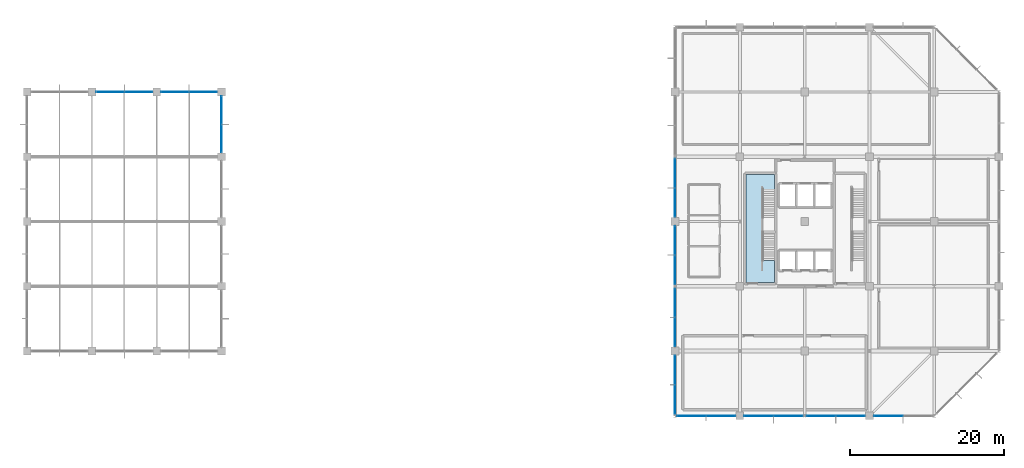
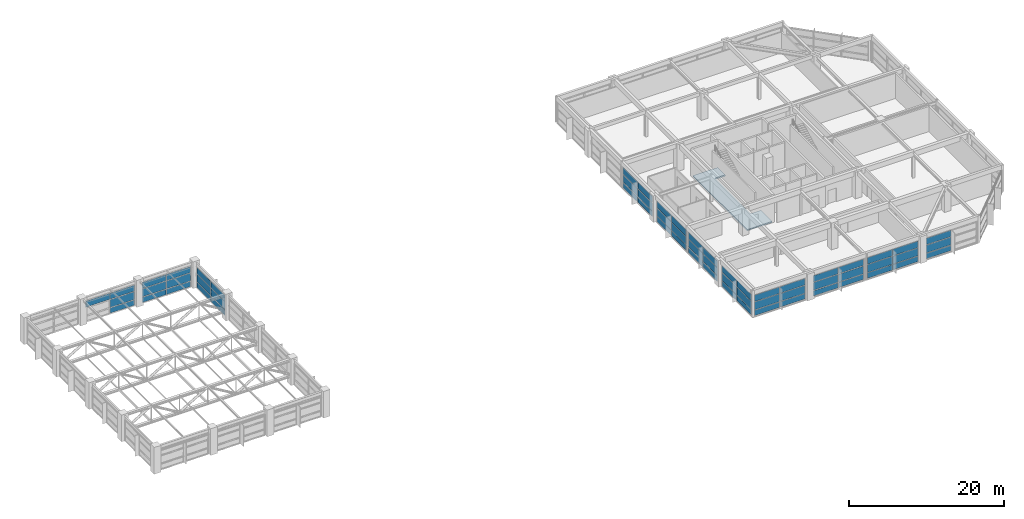
# One storey, part 26 of 32: 61 plates, 1 slab, 12 elements without a shape of their own.
"""IFC4 building model written with IfcOpenShell, lengths in metres."""

from ifc_helpers import new_model, si_unit, direction, frame, origin, origin_2d, place, context, subcontext, project, spatial, polyline, rectangle, outline, extrude, material, layer, layer_set, type_object, element, aggregate, save


model = new_model("IFC4")

# Units and contexts
model_context = context("Model", 3, precision=1e-05, world=origin(), true_north=direction((0.0, 1.0)))
body_context = subcontext(model_context, "Body", "Model", "MODEL_VIEW")
ifc_project = project(units=[si_unit("LENGTHUNIT", "METRE"), si_unit("AREAUNIT", "SQUARE_METRE"), si_unit("VOLUMEUNIT", "CUBIC_METRE"), si_unit("PLANEANGLEUNIT", "RADIAN"), si_unit("MASSUNIT", "GRAM", prefix="KILO")], contexts=[model_context])

# Site, building, storey
site_placement = place(None, origin())
site = spatial("IfcSite", under=ifc_project, at=site_placement, CompositionType="ELEMENT")
building_placement = place(site_placement, origin())
building = spatial("IfcBuilding", under=site, at=building_placement, Name="Xuanlan Plaza Opera House", CompositionType="ELEMENT")
storey_placement = place(building_placement, frame((0.0, 0.0, 40.5)))
storey = spatial("IfcBuildingStorey", under=building, at=storey_placement, Name="L09", CompositionType="ELEMENT", Elevation=40.5)

# Curtain wall, plates
ifc_material_1 = material(Name="Anodised Aluminium 6063-T6 and Low-E Glass", Category="aluminium")
curtain_wall_type_1 = type_object("IfcCurtainWallType", Name="ENV-CW-CW-03", PredefinedType="USERDEFINED", material=ifc_material_1)
curtain_wall_1_placement = place(storey_placement, origin())
curtain_wall_1 = element("IfcCurtainWall", 1, at=curtain_wall_1_placement, inside=storey, type_object=curtain_wall_type_1, Name="Unitised Curtain Wall L09-020", ObjectType="UNITISED CURTAIN WALL", PredefinedType="USERDEFINED")
ifc_material_2 = material(Name="Laminated Acoustic Double Glazing", Category="glass")
ifc_layer_1 = layer(ifc_material_2, 0.028076171875)
ifc_layer_set_1 = layer_set([ifc_layer_1], Name="Laminated Acoustic Double Glazing")
plate_type_1 = type_object("IfcPlateType", Name="ENV-CWP-01", PredefinedType="CURTAIN_PANEL", material=ifc_layer_set_1)
plate_1_placement = place(storey_placement, frame((126.0, 39.54248046875, 0.06494140625), z_axis=(0.0, 0.0, 1.0), x_axis=(0.0, -1.0, 0.0)))
plate_1 = element("IfcPlate", 2, at=plate_1_placement, type_object=plate_type_1, Name="CW-03 panel 1.1", PredefinedType="CURTAIN_PANEL", context=body_context, shape_type="SweptSolid", body=[
    extrude(rectangle(XDim=3.7451171875, YDim=0.028076171875, at=origin_2d()), origin(), (0.0, 0.0, 1.0), 0.8525390625),
])
plate_2_placement = place(storey_placement, frame((126.0, 39.54248046875, 0.982421875), z_axis=(0.0, 0.0, 1.0), x_axis=(0.0, -1.0, 0.0)))
plate_2 = element("IfcPlate", 3, at=plate_2_placement, type_object=plate_type_1, Name="CW-03 panel 1.2", PredefinedType="CURTAIN_PANEL", context=body_context, shape_type="SweptSolid", body=[
    extrude(rectangle(XDim=3.7451171875, YDim=0.028076171875, at=origin_2d()), origin(), (0.0, 0.0, 1.0), 1.235107421875),
])
plate_3_placement = place(storey_placement, frame((126.0, 39.54248046875, 2.28271484375), z_axis=(0.0, 0.0, 1.0), x_axis=(0.0, -1.0, 0.0)))
plate_3 = element("IfcPlate", 4, at=plate_3_placement, type_object=plate_type_1, Name="CW-03 panel 1.3", PredefinedType="CURTAIN_PANEL", context=body_context, shape_type="SweptSolid", body=[
    extrude(rectangle(XDim=3.7451171875, YDim=0.028076171875, at=origin_2d()), origin(), (0.0, 0.0, 1.0), 1.032470703125),
])
plate_4_placement = place(storey_placement, frame((126.0, 35.732421875, 0.06494140625), z_axis=(0.0, 0.0, 1.0), x_axis=(0.0, -1.0, 0.0)))
plate_4 = element("IfcPlate", 5, at=plate_4_placement, type_object=plate_type_1, Name="CW-03 panel 2.1", PredefinedType="CURTAIN_PANEL", context=body_context, shape_type="SweptSolid", body=[
    extrude(rectangle(XDim=3.7451171875, YDim=0.028076171875, at=origin_2d()), origin(), (0.0, 0.0, 1.0), 0.8525390625),
])
plate_5_placement = place(storey_placement, frame((126.0, 35.732421875, 0.982421875), z_axis=(0.0, 0.0, 1.0), x_axis=(0.0, -1.0, 0.0)))
plate_5 = element("IfcPlate", 6, at=plate_5_placement, type_object=plate_type_1, Name="CW-03 panel 2.2", PredefinedType="CURTAIN_PANEL", context=body_context, shape_type="SweptSolid", body=[
    extrude(rectangle(XDim=3.7451171875, YDim=0.028076171875, at=origin_2d()), origin(), (0.0, 0.0, 1.0), 1.235107421875),
])
plate_6_placement = place(storey_placement, frame((126.0, 35.732421875, 2.28271484375), z_axis=(0.0, 0.0, 1.0), x_axis=(0.0, -1.0, 0.0)))
plate_6 = element("IfcPlate", 7, at=plate_6_placement, type_object=plate_type_1, Name="CW-03 panel 2.3", PredefinedType="CURTAIN_PANEL", context=body_context, shape_type="SweptSolid", body=[
    extrude(rectangle(XDim=3.7451171875, YDim=0.028076171875, at=origin_2d()), origin(), (0.0, 0.0, 1.0), 1.032470703125),
])
aggregate(curtain_wall_1, [plate_1, plate_2, plate_3, plate_4, plate_5, plate_6])

curtain_wall_type_2 = type_object("IfcCurtainWallType", Name="ENV-CW-CW-01", PredefinedType="USERDEFINED", material=ifc_material_1)
curtain_wall_2_placement = place(storey_placement, origin())
curtain_wall_2 = element("IfcCurtainWall", 8, at=curtain_wall_2_placement, inside=storey, type_object=curtain_wall_type_2, Name="Unitised Curtain Wall L09-002", ObjectType="UNITISED CURTAIN WALL", PredefinedType="USERDEFINED")
ifc_layer_2 = layer(ifc_material_2, 0.031982421875)
ifc_layer_set_2 = layer_set([ifc_layer_2], Name="Laminated Acoustic Double Glazing")
plate_type_2 = type_object("IfcPlateType", Name="ENV-CWP-02", PredefinedType="CURTAIN_PANEL", material=ifc_layer_set_2)
plate_7_placement = place(storey_placement, frame((136.860107421875, 33.60009765625, 0.090087890625), z_axis=(0.0, 0.0, 1.0), x_axis=(1.0, 0.0, 0.0)))
plate_7 = element("IfcPlate", 9, at=plate_7_placement, type_object=plate_type_2, Name="CW-01 panel 1.1", PredefinedType="CURTAIN_PANEL", context=body_context, shape_type="SweptSolid", body=[
    extrude(rectangle(XDim=3.72998046875, YDim=0.031982421875, at=origin_2d()), origin(), (0.0, 0.0, 1.0), 0.81494140625),
])
plate_8_placement = place(storey_placement, frame((136.860107421875, 33.60009765625, 0.9951171875), z_axis=(0.0, 0.0, 1.0), x_axis=(1.0, 0.0, 0.0)))
plate_8 = element("IfcPlate", 10, at=plate_8_placement, type_object=plate_type_2, Name="CW-01 panel 1.2", PredefinedType="CURTAIN_PANEL", context=body_context, shape_type="SweptSolid", body=[
    extrude(rectangle(XDim=3.72998046875, YDim=0.031982421875, at=origin_2d()), origin(), (0.0, 0.0, 1.0), 1.2099609375),
])
plate_9_placement = place(storey_placement, frame((136.860107421875, 33.60009765625, 2.294921875), z_axis=(0.0, 0.0, 1.0), x_axis=(1.0, 0.0, 0.0)))
plate_9 = element("IfcPlate", 11, at=plate_9_placement, type_object=plate_type_2, Name="CW-01 panel 1.3", PredefinedType="CURTAIN_PANEL", context=body_context, shape_type="SweptSolid", body=[
    extrude(rectangle(XDim=3.72998046875, YDim=0.031982421875, at=origin_2d()), origin(), (0.0, 0.0, 1.0), 0.9951171875),
])
plate_10_placement = place(storey_placement, frame((140.6650390625, 33.60009765625, 0.090087890625), z_axis=(0.0, 0.0, 1.0), x_axis=(1.0, 0.0, 0.0)))
plate_10 = element("IfcPlate", 12, at=plate_10_placement, type_object=plate_type_2, Name="CW-01 panel 2.1", PredefinedType="CURTAIN_PANEL", context=body_context, shape_type="SweptSolid", body=[
    extrude(rectangle(XDim=3.72998046875, YDim=0.031982421875, at=origin_2d()), origin(), (0.0, 0.0, 1.0), 0.81494140625),
])
plate_11_placement = place(storey_placement, frame((140.6650390625, 33.60009765625, 0.9951171875), z_axis=(0.0, 0.0, 1.0), x_axis=(1.0, 0.0, 0.0)))
plate_11 = element("IfcPlate", 13, at=plate_11_placement, type_object=plate_type_2, Name="CW-01 panel 2.2", PredefinedType="CURTAIN_PANEL", context=body_context, shape_type="SweptSolid", body=[
    extrude(rectangle(XDim=3.72998046875, YDim=0.031982421875, at=origin_2d()), origin(), (0.0, 0.0, 1.0), 1.2099609375),
])
plate_12_placement = place(storey_placement, frame((140.6650390625, 33.60009765625, 2.294921875), z_axis=(0.0, 0.0, 1.0), x_axis=(1.0, 0.0, 0.0)))
plate_12 = element("IfcPlate", 14, at=plate_12_placement, type_object=plate_type_2, Name="CW-01 panel 2.3", PredefinedType="CURTAIN_PANEL", context=body_context, shape_type="SweptSolid", body=[
    extrude(rectangle(XDim=3.72998046875, YDim=0.031982421875, at=origin_2d()), origin(), (0.0, 0.0, 1.0), 0.9951171875),
])
aggregate(curtain_wall_2, [plate_7, plate_8, plate_9, plate_10, plate_11, plate_12])

curtain_wall_type_3 = type_object("IfcCurtainWallType", Name="ENV-CW-CW-04", PredefinedType="USERDEFINED", material=ifc_material_1)
curtain_wall_3_placement = place(storey_placement, origin())
curtain_wall_3 = element("IfcCurtainWall", 15, at=curtain_wall_3_placement, inside=storey, type_object=curtain_wall_type_3, Name="Unitised Curtain Wall L09-017", ObjectType="UNITISED CURTAIN WALL", PredefinedType="USERDEFINED")
plate_13_placement = place(storey_placement, frame((126.0, 65.06494140625, 0.090087890625), z_axis=(0.0, 0.0, 1.0), x_axis=(0.0, -1.0, 0.0)))
plate_13 = element("IfcPlate", 16, at=plate_13_placement, type_object=plate_type_2, Name="CW-04 panel 1.1", PredefinedType="CURTAIN_PANEL", context=body_context, shape_type="SweptSolid", body=[
    extrude(rectangle(XDim=3.72998046875, YDim=0.031982421875, at=origin_2d()), origin(), (0.0, 0.0, 1.0), 0.81494140625),
])
plate_14_placement = place(storey_placement, frame((126.0, 65.06494140625, 0.9951171875), z_axis=(0.0, 0.0, 1.0), x_axis=(0.0, -1.0, 0.0)))
plate_14 = element("IfcPlate", 17, at=plate_14_placement, type_object=plate_type_2, Name="CW-04 panel 1.2", PredefinedType="CURTAIN_PANEL", context=body_context, shape_type="SweptSolid", body=[
    extrude(rectangle(XDim=3.72998046875, YDim=0.031982421875, at=origin_2d()), origin(), (0.0, 0.0, 1.0), 1.2099609375),
])
plate_15_placement = place(storey_placement, frame((126.0, 65.06494140625, 2.294921875), z_axis=(0.0, 0.0, 1.0), x_axis=(0.0, -1.0, 0.0)))
plate_15 = element("IfcPlate", 18, at=plate_15_placement, type_object=plate_type_2, Name="CW-04 panel 1.3", PredefinedType="CURTAIN_PANEL", context=body_context, shape_type="SweptSolid", body=[
    extrude(rectangle(XDim=3.72998046875, YDim=0.031982421875, at=origin_2d()), origin(), (0.0, 0.0, 1.0), 0.9951171875),
])
plate_16_placement = place(storey_placement, frame((126.0, 61.260009765625, 0.090087890625), z_axis=(0.0, 0.0, 1.0), x_axis=(0.0, -1.0, 0.0)))
plate_16 = element("IfcPlate", 19, at=plate_16_placement, type_object=plate_type_2, Name="CW-04 panel 2.1", PredefinedType="CURTAIN_PANEL", context=body_context, shape_type="SweptSolid", body=[
    extrude(rectangle(XDim=3.72998046875, YDim=0.031982421875, at=origin_2d()), origin(), (0.0, 0.0, 1.0), 0.81494140625),
])
plate_17_placement = place(storey_placement, frame((126.0, 61.260009765625, 0.9951171875), z_axis=(0.0, 0.0, 1.0), x_axis=(0.0, -1.0, 0.0)))
plate_17 = element("IfcPlate", 20, at=plate_17_placement, type_object=plate_type_2, Name="CW-04 panel 2.2", PredefinedType="CURTAIN_PANEL", context=body_context, shape_type="SweptSolid", body=[
    extrude(rectangle(XDim=3.72998046875, YDim=0.031982421875, at=origin_2d()), origin(), (0.0, 0.0, 1.0), 1.2099609375),
])
plate_18_placement = place(storey_placement, frame((126.0, 61.260009765625, 2.294921875), z_axis=(0.0, 0.0, 1.0), x_axis=(0.0, -1.0, 0.0)))
plate_18 = element("IfcPlate", 21, at=plate_18_placement, type_object=plate_type_2, Name="CW-04 panel 2.3", PredefinedType="CURTAIN_PANEL", context=body_context, shape_type="SweptSolid", body=[
    extrude(rectangle(XDim=3.72998046875, YDim=0.031982421875, at=origin_2d()), origin(), (0.0, 0.0, 1.0), 0.9951171875),
])
aggregate(curtain_wall_3, [plate_13, plate_14, plate_15, plate_16, plate_17, plate_18])

curtain_wall_type_4 = type_object("IfcCurtainWallType", Name="ENV-CW-CW-05", PredefinedType="USERDEFINED", material=ifc_material_1)
curtain_wall_4_placement = place(storey_placement, origin())
curtain_wall_4 = element("IfcCurtainWall", 22, at=curtain_wall_4_placement, inside=storey, type_object=curtain_wall_type_4, Name="Acoustic Glazed Wall FLY-L09-07", ObjectType="ACOUSTIC GLAZED WALL", PredefinedType="USERDEFINED")
plate_19_placement = place(storey_placement, frame((67.199951171875, 69.577392578125, 0.074951171875), z_axis=(0.0, 0.0, 1.0), x_axis=(0.0, 1.0, 0.0)))
plate_19 = element("IfcPlate", 23, at=plate_19_placement, type_object=plate_type_2, Name="CW-05 panel 1.1", PredefinedType="CURTAIN_PANEL", context=body_context, shape_type="SweptSolid", body=[
    extrude(rectangle(XDim=3.574951171875, YDim=0.031982421875, at=origin_2d()), origin(), (0.0, 0.0, 1.0), 0.83740234375),
])
plate_20_placement = place(storey_placement, frame((67.199951171875, 69.577392578125, 0.987548828125), z_axis=(0.0, 0.0, 1.0), x_axis=(0.0, 1.0, 0.0)))
plate_20 = element("IfcPlate", 24, at=plate_20_placement, type_object=plate_type_2, Name="CW-05 panel 1.2", PredefinedType="CURTAIN_PANEL", context=body_context, shape_type="SweptSolid", body=[
    extrude(rectangle(XDim=3.574951171875, YDim=0.031982421875, at=origin_2d()), origin(), (0.0, 0.0, 1.0), 1.22509765625),
])
plate_21_placement = place(storey_placement, frame((67.199951171875, 69.577392578125, 2.28759765625), z_axis=(0.0, 0.0, 1.0), x_axis=(0.0, 1.0, 0.0)))
plate_21 = element("IfcPlate", 25, at=plate_21_placement, type_object=plate_type_2, Name="CW-05 panel 1.3", PredefinedType="CURTAIN_PANEL", context=body_context, shape_type="SweptSolid", body=[
    extrude(rectangle(XDim=3.574951171875, YDim=0.031982421875, at=origin_2d()), origin(), (0.0, 0.0, 1.0), 0.95751953125),
])
plate_22_placement = place(storey_placement, frame((67.199951171875, 73.222412109375, 0.074951171875), z_axis=(0.0, 0.0, 1.0), x_axis=(0.0, 1.0, 0.0)))
plate_22 = element("IfcPlate", 26, at=plate_22_placement, type_object=plate_type_2, Name="CW-05 panel 2.1", PredefinedType="CURTAIN_PANEL", context=body_context, shape_type="SweptSolid", body=[
    extrude(rectangle(XDim=3.574951171875, YDim=0.031982421875, at=origin_2d()), origin(), (0.0, 0.0, 1.0), 0.83740234375),
])
plate_23_placement = place(storey_placement, frame((67.199951171875, 73.222412109375, 0.987548828125), z_axis=(0.0, 0.0, 1.0), x_axis=(0.0, 1.0, 0.0)))
plate_23 = element("IfcPlate", 27, at=plate_23_placement, type_object=plate_type_2, Name="CW-05 panel 2.2", PredefinedType="CURTAIN_PANEL", context=body_context, shape_type="SweptSolid", body=[
    extrude(rectangle(XDim=3.574951171875, YDim=0.031982421875, at=origin_2d()), origin(), (0.0, 0.0, 1.0), 1.22509765625),
])
plate_24_placement = place(storey_placement, frame((67.199951171875, 73.222412109375, 2.28759765625), z_axis=(0.0, 0.0, 1.0), x_axis=(0.0, 1.0, 0.0)))
plate_24 = element("IfcPlate", 28, at=plate_24_placement, type_object=plate_type_2, Name="CW-05 panel 2.3", PredefinedType="CURTAIN_PANEL", context=body_context, shape_type="SweptSolid", body=[
    extrude(rectangle(XDim=3.574951171875, YDim=0.031982421875, at=origin_2d()), origin(), (0.0, 0.0, 1.0), 0.95751953125),
])
aggregate(curtain_wall_4, [plate_19, plate_20, plate_21, plate_22, plate_23, plate_24])

curtain_wall_5_placement = place(storey_placement, origin())
curtain_wall_5 = element("IfcCurtainWall", 29, at=curtain_wall_5_placement, inside=storey, type_object=curtain_wall_type_4, Name="Acoustic Glazed Wall FLY-L09-08", ObjectType="ACOUSTIC GLAZED WALL", PredefinedType="USERDEFINED")
plate_25_placement = place(storey_placement, frame((64.822509765625, 75.60009765625, 0.074951171875), z_axis=(0.0, 0.0, 1.0), x_axis=(-1.0, 0.0, 0.0)))
plate_25 = element("IfcPlate", 30, at=plate_25_placement, type_object=plate_type_2, Name="CW-05 panel 1.1", PredefinedType="CURTAIN_PANEL", context=body_context, shape_type="SweptSolid", body=[
    extrude(rectangle(XDim=3.574951171875, YDim=0.031982421875, at=origin_2d()), origin(), (0.0, 0.0, 1.0), 0.83740234375),
])
plate_26_placement = place(storey_placement, frame((64.822509765625, 75.60009765625, 0.987548828125), z_axis=(0.0, 0.0, 1.0), x_axis=(-1.0, 0.0, 0.0)))
plate_26 = element("IfcPlate", 31, at=plate_26_placement, type_object=plate_type_2, Name="CW-05 panel 1.2", PredefinedType="CURTAIN_PANEL", context=body_context, shape_type="SweptSolid", body=[
    extrude(rectangle(XDim=3.574951171875, YDim=0.031982421875, at=origin_2d()), origin(), (0.0, 0.0, 1.0), 1.22509765625),
])
plate_27_placement = place(storey_placement, frame((64.822509765625, 75.60009765625, 2.28759765625), z_axis=(0.0, 0.0, 1.0), x_axis=(-1.0, 0.0, 0.0)))
plate_27 = element("IfcPlate", 32, at=plate_27_placement, type_object=plate_type_2, Name="CW-05 panel 1.3", PredefinedType="CURTAIN_PANEL", context=body_context, shape_type="SweptSolid", body=[
    extrude(rectangle(XDim=3.574951171875, YDim=0.031982421875, at=origin_2d()), origin(), (0.0, 0.0, 1.0), 0.95751953125),
])
plate_28_placement = place(storey_placement, frame((61.177490234375, 75.60009765625, 0.074951171875), z_axis=(0.0, 0.0, 1.0), x_axis=(-1.0, 0.0, 0.0)))
plate_28 = element("IfcPlate", 33, at=plate_28_placement, type_object=plate_type_2, Name="CW-05 panel 2.1", PredefinedType="CURTAIN_PANEL", context=body_context, shape_type="SweptSolid", body=[
    extrude(rectangle(XDim=3.574951171875, YDim=0.031982421875, at=origin_2d()), origin(), (0.0, 0.0, 1.0), 0.83740234375),
])
plate_29_placement = place(storey_placement, frame((61.177490234375, 75.60009765625, 0.987548828125), z_axis=(0.0, 0.0, 1.0), x_axis=(-1.0, 0.0, 0.0)))
plate_29 = element("IfcPlate", 34, at=plate_29_placement, type_object=plate_type_2, Name="CW-05 panel 2.2", PredefinedType="CURTAIN_PANEL", context=body_context, shape_type="SweptSolid", body=[
    extrude(rectangle(XDim=3.574951171875, YDim=0.031982421875, at=origin_2d()), origin(), (0.0, 0.0, 1.0), 1.22509765625),
])
plate_30_placement = place(storey_placement, frame((61.177490234375, 75.60009765625, 2.28759765625), z_axis=(0.0, 0.0, 1.0), x_axis=(-1.0, 0.0, 0.0)))
plate_30 = element("IfcPlate", 35, at=plate_30_placement, type_object=plate_type_2, Name="CW-05 panel 2.3", PredefinedType="CURTAIN_PANEL", context=body_context, shape_type="SweptSolid", body=[
    extrude(rectangle(XDim=3.574951171875, YDim=0.031982421875, at=origin_2d()), origin(), (0.0, 0.0, 1.0), 0.95751953125),
])
aggregate(curtain_wall_5, [plate_25, plate_26, plate_27, plate_28, plate_29, plate_30])

curtain_wall_6_placement = place(storey_placement, origin())
curtain_wall_6 = element("IfcCurtainWall", 36, at=curtain_wall_6_placement, inside=storey, type_object=curtain_wall_type_4, Name="Acoustic Glazed Wall FLY-L09-09", ObjectType="ACOUSTIC GLAZED WALL", PredefinedType="USERDEFINED")
plate_31_placement = place(storey_placement, frame((56.422607421875, 75.60009765625, 0.074951171875), z_axis=(0.0, 0.0, 1.0), x_axis=(-1.0, 0.0, 0.0)))
plate_31 = element("IfcPlate", 37, at=plate_31_placement, type_object=plate_type_2, Name="CW-05 panel 1.1", PredefinedType="CURTAIN_PANEL", context=body_context, shape_type="SweptSolid", body=[
    extrude(rectangle(XDim=3.574951171875, YDim=0.031982421875, at=origin_2d()), origin(), (0.0, 0.0, 1.0), 0.83740234375),
])
plate_32_placement = place(storey_placement, frame((56.422607421875, 75.60009765625, 0.987548828125), z_axis=(0.0, 0.0, 1.0), x_axis=(-1.0, 0.0, 0.0)))
plate_32 = element("IfcPlate", 38, at=plate_32_placement, type_object=plate_type_2, Name="CW-05 panel 1.2", PredefinedType="CURTAIN_PANEL", context=body_context, shape_type="SweptSolid", body=[
    extrude(rectangle(XDim=3.574951171875, YDim=0.031982421875, at=origin_2d()), origin(), (0.0, 0.0, 1.0), 1.22509765625),
])
plate_33_placement = place(storey_placement, frame((56.422607421875, 75.60009765625, 2.28759765625), z_axis=(0.0, 0.0, 1.0), x_axis=(-1.0, 0.0, 0.0)))
plate_33 = element("IfcPlate", 39, at=plate_33_placement, type_object=plate_type_2, Name="CW-05 panel 1.3", PredefinedType="CURTAIN_PANEL", context=body_context, shape_type="SweptSolid", body=[
    extrude(rectangle(XDim=3.574951171875, YDim=0.031982421875, at=origin_2d()), origin(), (0.0, 0.0, 1.0), 0.95751953125),
])
plate_34_placement = place(storey_placement, frame((52.777587890625, 75.60009765625, 2.28759765625), z_axis=(0.0, 0.0, 1.0), x_axis=(-1.0, 0.0, 0.0)))
plate_34 = element("IfcPlate", 40, at=plate_34_placement, type_object=plate_type_2, Name="CW-05 panel 2.3", PredefinedType="CURTAIN_PANEL", context=body_context, shape_type="SweptSolid", body=[
    extrude(rectangle(XDim=3.574951171875, YDim=0.031982421875, at=origin_2d()), origin(), (0.0, 0.0, 1.0), 0.95751953125),
])
aggregate(curtain_wall_6, [plate_31, plate_32, plate_33, plate_34])

curtain_wall_7_placement = place(storey_placement, origin())
curtain_wall_7 = element("IfcCurtainWall", 41, at=curtain_wall_7_placement, inside=storey, type_object=curtain_wall_type_1, Name="Unitised Curtain Wall L09-004", ObjectType="UNITISED CURTAIN WALL", PredefinedType="USERDEFINED")
ifc_layer_3 = layer(ifc_material_2, 0.035888671875)
ifc_layer_set_3 = layer_set([ifc_layer_3], Name="Laminated Acoustic Double Glazing")
plate_type_3 = type_object("IfcPlateType", Name="ENV-CWP-03", PredefinedType="CURTAIN_PANEL", material=ifc_layer_set_3)
plate_35_placement = place(storey_placement, frame((153.663818359375, 33.60009765625, 0.080078125), z_axis=(0.0, 0.0, 1.0), x_axis=(1.0, 0.0, 0.0)))
plate_35 = element("IfcPlate", 42, at=plate_35_placement, type_object=plate_type_3, Name="CW-03 panel 1.1", PredefinedType="CURTAIN_PANEL", context=body_context, shape_type="SweptSolid", body=[
    extrude(rectangle(XDim=3.70751953125, YDim=0.035888671875, at=origin_2d()), origin(), (0.0, 0.0, 1.0), 0.830078125),
])
plate_36_placement = place(storey_placement, frame((153.663818359375, 33.60009765625, 0.990234375), z_axis=(0.0, 0.0, 1.0), x_axis=(1.0, 0.0, 0.0)))
plate_36 = element("IfcPlate", 43, at=plate_36_placement, type_object=plate_type_3, Name="CW-03 panel 1.2", PredefinedType="CURTAIN_PANEL", context=body_context, shape_type="SweptSolid", body=[
    extrude(rectangle(XDim=3.70751953125, YDim=0.035888671875, at=origin_2d()), origin(), (0.0, 0.0, 1.0), 1.219970703125),
])
plate_37_placement = place(storey_placement, frame((153.663818359375, 33.60009765625, 2.2900390625), z_axis=(0.0, 0.0, 1.0), x_axis=(1.0, 0.0, 0.0)))
plate_37 = element("IfcPlate", 44, at=plate_37_placement, type_object=plate_type_3, Name="CW-03 panel 1.3", PredefinedType="CURTAIN_PANEL", context=body_context, shape_type="SweptSolid", body=[
    extrude(rectangle(XDim=3.70751953125, YDim=0.035888671875, at=origin_2d()), origin(), (0.0, 0.0, 1.0), 1.010009765625),
])
aggregate(curtain_wall_7, [plate_35, plate_36, plate_37])

curtain_wall_type_5 = type_object("IfcCurtainWallType", Name="ENV-CW-CW-02", PredefinedType="USERDEFINED", material=ifc_material_1)
curtain_wall_8_placement = place(storey_placement, origin())
curtain_wall_8 = element("IfcCurtainWall", 45, at=curtain_wall_8_placement, inside=storey, type_object=curtain_wall_type_5, Name="Unitised Curtain Wall L09-019", ObjectType="UNITISED CURTAIN WALL", PredefinedType="USERDEFINED")
plate_38_placement = place(storey_placement, frame((126.0, 48.26123046875, 0.080078125), z_axis=(0.0, 0.0, 1.0), x_axis=(0.0, -1.0, 0.0)))
plate_38 = element("IfcPlate", 46, at=plate_38_placement, type_object=plate_type_3, Name="CW-02 panel 1.1", PredefinedType="CURTAIN_PANEL", context=body_context, shape_type="SweptSolid", body=[
    extrude(rectangle(XDim=3.70751953125, YDim=0.035888671875, at=origin_2d()), origin(), (0.0, 0.0, 1.0), 0.830078125),
])
plate_39_placement = place(storey_placement, frame((126.0, 48.26123046875, 0.990234375), z_axis=(0.0, 0.0, 1.0), x_axis=(0.0, -1.0, 0.0)))
plate_39 = element("IfcPlate", 47, at=plate_39_placement, type_object=plate_type_3, Name="CW-02 panel 1.2", PredefinedType="CURTAIN_PANEL", context=body_context, shape_type="SweptSolid", body=[
    extrude(rectangle(XDim=3.70751953125, YDim=0.035888671875, at=origin_2d()), origin(), (0.0, 0.0, 1.0), 1.219970703125),
])
plate_40_placement = place(storey_placement, frame((126.0, 48.26123046875, 2.2900390625), z_axis=(0.0, 0.0, 1.0), x_axis=(0.0, -1.0, 0.0)))
plate_40 = element("IfcPlate", 48, at=plate_40_placement, type_object=plate_type_3, Name="CW-02 panel 1.3", PredefinedType="CURTAIN_PANEL", context=body_context, shape_type="SweptSolid", body=[
    extrude(rectangle(XDim=3.70751953125, YDim=0.035888671875, at=origin_2d()), origin(), (0.0, 0.0, 1.0), 1.010009765625),
])
plate_41_placement = place(storey_placement, frame((126.0, 44.4638671875, 0.080078125), z_axis=(0.0, 0.0, 1.0), x_axis=(0.0, -1.0, 0.0)))
plate_41 = element("IfcPlate", 49, at=plate_41_placement, type_object=plate_type_3, Name="CW-02 panel 2.1", PredefinedType="CURTAIN_PANEL", context=body_context, shape_type="SweptSolid", body=[
    extrude(rectangle(XDim=3.70751953125, YDim=0.035888671875, at=origin_2d()), origin(), (0.0, 0.0, 1.0), 0.830078125),
])
plate_42_placement = place(storey_placement, frame((126.0, 44.4638671875, 0.990234375), z_axis=(0.0, 0.0, 1.0), x_axis=(0.0, -1.0, 0.0)))
plate_42 = element("IfcPlate", 50, at=plate_42_placement, type_object=plate_type_3, Name="CW-02 panel 2.2", PredefinedType="CURTAIN_PANEL", context=body_context, shape_type="SweptSolid", body=[
    extrude(rectangle(XDim=3.70751953125, YDim=0.035888671875, at=origin_2d()), origin(), (0.0, 0.0, 1.0), 1.219970703125),
])
plate_43_placement = place(storey_placement, frame((126.0, 44.4638671875, 2.2900390625), z_axis=(0.0, 0.0, 1.0), x_axis=(0.0, -1.0, 0.0)))
plate_43 = element("IfcPlate", 51, at=plate_43_placement, type_object=plate_type_3, Name="CW-02 panel 2.3", PredefinedType="CURTAIN_PANEL", context=body_context, shape_type="SweptSolid", body=[
    extrude(rectangle(XDim=3.70751953125, YDim=0.035888671875, at=origin_2d()), origin(), (0.0, 0.0, 1.0), 1.010009765625),
])
aggregate(curtain_wall_8, [plate_38, plate_39, plate_40, plate_41, plate_42, plate_43])

curtain_wall_9_placement = place(storey_placement, origin())
curtain_wall_9 = element("IfcCurtainWall", 52, at=curtain_wall_9_placement, inside=storey, type_object=curtain_wall_type_3, Name="Unitised Curtain Wall L09-001", ObjectType="UNITISED CURTAIN WALL", PredefinedType="USERDEFINED")
ifc_layer_4 = layer(ifc_material_2, 0.0400390625)
ifc_layer_set_4 = layer_set([ifc_layer_4], Name="Laminated Acoustic Double Glazing")
plate_type_4 = type_object("IfcPlateType", Name="ENV-CWP-04", PredefinedType="CURTAIN_PANEL", material=ifc_layer_set_4)
plate_44_placement = place(storey_placement, frame((128.1337890625, 33.60009765625, 0.074951171875), z_axis=(0.0, 0.0, 1.0), x_axis=(1.0, 0.0, 0.0)))
plate_44 = element("IfcPlate", 53, at=plate_44_placement, type_object=plate_type_4, Name="CW-04 panel 1.1", PredefinedType="CURTAIN_PANEL", context=body_context, shape_type="SweptSolid", body=[
    extrude(rectangle(XDim=3.737548828125, YDim=0.0400390625, at=origin_2d()), origin(), (0.0, 0.0, 1.0), 0.83740234375),
])
plate_45_placement = place(storey_placement, frame((128.1337890625, 33.60009765625, 0.987548828125), z_axis=(0.0, 0.0, 1.0), x_axis=(1.0, 0.0, 0.0)))
plate_45 = element("IfcPlate", 54, at=plate_45_placement, type_object=plate_type_4, Name="CW-04 panel 1.2", PredefinedType="CURTAIN_PANEL", context=body_context, shape_type="SweptSolid", body=[
    extrude(rectangle(XDim=3.737548828125, YDim=0.0400390625, at=origin_2d()), origin(), (0.0, 0.0, 1.0), 1.22509765625),
])
plate_46_placement = place(storey_placement, frame((128.1337890625, 33.60009765625, 2.287353515625), z_axis=(0.0, 0.0, 1.0), x_axis=(1.0, 0.0, 0.0)))
plate_46 = element("IfcPlate", 55, at=plate_46_placement, type_object=plate_type_4, Name="CW-04 panel 1.3", PredefinedType="CURTAIN_PANEL", context=body_context, shape_type="SweptSolid", body=[
    extrude(rectangle(XDim=3.737548828125, YDim=0.0400390625, at=origin_2d()), origin(), (0.0, 0.0, 1.0), 1.017578125),
])
plate_47_placement = place(storey_placement, frame((131.941162109375, 33.60009765625, 0.074951171875), z_axis=(0.0, 0.0, 1.0), x_axis=(1.0, 0.0, 0.0)))
plate_47 = element("IfcPlate", 56, at=plate_47_placement, type_object=plate_type_4, Name="CW-04 panel 2.1", PredefinedType="CURTAIN_PANEL", context=body_context, shape_type="SweptSolid", body=[
    extrude(rectangle(XDim=3.737548828125, YDim=0.0400390625, at=origin_2d()), origin(), (0.0, 0.0, 1.0), 0.83740234375),
])
plate_48_placement = place(storey_placement, frame((131.941162109375, 33.60009765625, 0.987548828125), z_axis=(0.0, 0.0, 1.0), x_axis=(1.0, 0.0, 0.0)))
plate_48 = element("IfcPlate", 57, at=plate_48_placement, type_object=plate_type_4, Name="CW-04 panel 2.2", PredefinedType="CURTAIN_PANEL", context=body_context, shape_type="SweptSolid", body=[
    extrude(rectangle(XDim=3.737548828125, YDim=0.0400390625, at=origin_2d()), origin(), (0.0, 0.0, 1.0), 1.22509765625),
])
plate_49_placement = place(storey_placement, frame((131.941162109375, 33.60009765625, 2.287353515625), z_axis=(0.0, 0.0, 1.0), x_axis=(1.0, 0.0, 0.0)))
plate_49 = element("IfcPlate", 58, at=plate_49_placement, type_object=plate_type_4, Name="CW-04 panel 2.3", PredefinedType="CURTAIN_PANEL", context=body_context, shape_type="SweptSolid", body=[
    extrude(rectangle(XDim=3.737548828125, YDim=0.0400390625, at=origin_2d()), origin(), (0.0, 0.0, 1.0), 1.017578125),
])
aggregate(curtain_wall_9, [plate_44, plate_45, plate_46, plate_47, plate_48, plate_49])

curtain_wall_10_placement = place(storey_placement, origin())
curtain_wall_10 = element("IfcCurtainWall", 59, at=curtain_wall_10_placement, inside=storey, type_object=curtain_wall_type_5, Name="Unitised Curtain Wall L09-003", ObjectType="UNITISED CURTAIN WALL", PredefinedType="USERDEFINED")
ifc_layer_5 = layer(ifc_material_2, 0.0439453125)
ifc_layer_set_5 = layer_set([ifc_layer_5], Name="Laminated Acoustic Double Glazing")
plate_type_5 = type_object("IfcPlateType", Name="ENV-CWP-05", PredefinedType="CURTAIN_PANEL", material=ifc_layer_set_5)
plate_50_placement = place(storey_placement, frame((144.936279296875, 33.60009765625, 0.06982421875), z_axis=(0.0, 0.0, 1.0), x_axis=(1.0, 0.0, 0.0)))
plate_50 = element("IfcPlate", 60, at=plate_50_placement, type_object=plate_type_5, Name="CW-02 panel 1.1", PredefinedType="CURTAIN_PANEL", context=body_context, shape_type="SweptSolid", body=[
    extrude(rectangle(XDim=3.722412109375, YDim=0.0439453125, at=origin_2d()), origin(), (0.0, 0.0, 1.0), 0.844970703125),
])
plate_51_placement = place(storey_placement, frame((144.936279296875, 33.60009765625, 0.985107421875), z_axis=(0.0, 0.0, 1.0), x_axis=(1.0, 0.0, 0.0)))
plate_51 = element("IfcPlate", 61, at=plate_51_placement, type_object=plate_type_5, Name="CW-02 panel 1.2", PredefinedType="CURTAIN_PANEL", context=body_context, shape_type="SweptSolid", body=[
    extrude(rectangle(XDim=3.722412109375, YDim=0.0439453125, at=origin_2d()), origin(), (0.0, 0.0, 1.0), 1.22998046875),
])
plate_52_placement = place(storey_placement, frame((144.936279296875, 33.60009765625, 2.28515625), z_axis=(0.0, 0.0, 1.0), x_axis=(1.0, 0.0, 0.0)))
plate_52 = element("IfcPlate", 62, at=plate_52_placement, type_object=plate_type_5, Name="CW-02 panel 1.3", PredefinedType="CURTAIN_PANEL", context=body_context, shape_type="SweptSolid", body=[
    extrude(rectangle(XDim=3.722412109375, YDim=0.0439453125, at=origin_2d()), origin(), (0.0, 0.0, 1.0), 1.02490234375),
])
plate_53_placement = place(storey_placement, frame((148.73876953125, 33.60009765625, 0.06982421875), z_axis=(0.0, 0.0, 1.0), x_axis=(1.0, 0.0, 0.0)))
plate_53 = element("IfcPlate", 63, at=plate_53_placement, type_object=plate_type_5, Name="CW-02 panel 2.1", PredefinedType="CURTAIN_PANEL", context=body_context, shape_type="SweptSolid", body=[
    extrude(rectangle(XDim=3.722412109375, YDim=0.0439453125, at=origin_2d()), origin(), (0.0, 0.0, 1.0), 0.844970703125),
])
plate_54_placement = place(storey_placement, frame((148.73876953125, 33.60009765625, 0.985107421875), z_axis=(0.0, 0.0, 1.0), x_axis=(1.0, 0.0, 0.0)))
plate_54 = element("IfcPlate", 64, at=plate_54_placement, type_object=plate_type_5, Name="CW-02 panel 2.2", PredefinedType="CURTAIN_PANEL", context=body_context, shape_type="SweptSolid", body=[
    extrude(rectangle(XDim=3.722412109375, YDim=0.0439453125, at=origin_2d()), origin(), (0.0, 0.0, 1.0), 1.22998046875),
])
plate_55_placement = place(storey_placement, frame((148.73876953125, 33.60009765625, 2.28515625), z_axis=(0.0, 0.0, 1.0), x_axis=(1.0, 0.0, 0.0)))
plate_55 = element("IfcPlate", 65, at=plate_55_placement, type_object=plate_type_5, Name="CW-02 panel 2.3", PredefinedType="CURTAIN_PANEL", context=body_context, shape_type="SweptSolid", body=[
    extrude(rectangle(XDim=3.722412109375, YDim=0.0439453125, at=origin_2d()), origin(), (0.0, 0.0, 1.0), 1.02490234375),
])
aggregate(curtain_wall_10, [plate_50, plate_51, plate_52, plate_53, plate_54, plate_55])

curtain_wall_11_placement = place(storey_placement, origin())
curtain_wall_11 = element("IfcCurtainWall", 66, at=curtain_wall_11_placement, inside=storey, type_object=curtain_wall_type_2, Name="Unitised Curtain Wall L09-018", ObjectType="UNITISED CURTAIN WALL", PredefinedType="USERDEFINED")
plate_56_placement = place(storey_placement, frame((126.0, 56.3388671875, 0.06982421875), z_axis=(0.0, 0.0, 1.0), x_axis=(0.0, -1.0, 0.0)))
plate_56 = element("IfcPlate", 67, at=plate_56_placement, type_object=plate_type_5, Name="CW-01 panel 1.1", PredefinedType="CURTAIN_PANEL", context=body_context, shape_type="SweptSolid", body=[
    extrude(rectangle(XDim=3.722412109375, YDim=0.0439453125, at=origin_2d()), origin(), (0.0, 0.0, 1.0), 0.844970703125),
])
plate_57_placement = place(storey_placement, frame((126.0, 56.3388671875, 0.985107421875), z_axis=(0.0, 0.0, 1.0), x_axis=(0.0, -1.0, 0.0)))
plate_57 = element("IfcPlate", 68, at=plate_57_placement, type_object=plate_type_5, Name="CW-01 panel 1.2", PredefinedType="CURTAIN_PANEL", context=body_context, shape_type="SweptSolid", body=[
    extrude(rectangle(XDim=3.722412109375, YDim=0.0439453125, at=origin_2d()), origin(), (0.0, 0.0, 1.0), 1.22998046875),
])
plate_58_placement = place(storey_placement, frame((126.0, 56.3388671875, 2.28515625), z_axis=(0.0, 0.0, 1.0), x_axis=(0.0, -1.0, 0.0)))
plate_58 = element("IfcPlate", 69, at=plate_58_placement, type_object=plate_type_5, Name="CW-01 panel 1.3", PredefinedType="CURTAIN_PANEL", context=body_context, shape_type="SweptSolid", body=[
    extrude(rectangle(XDim=3.722412109375, YDim=0.0439453125, at=origin_2d()), origin(), (0.0, 0.0, 1.0), 1.02490234375),
])
plate_59_placement = place(storey_placement, frame((126.0, 52.5361328125, 0.06982421875), z_axis=(0.0, 0.0, 1.0), x_axis=(0.0, -1.0, 0.0)))
plate_59 = element("IfcPlate", 70, at=plate_59_placement, type_object=plate_type_5, Name="CW-01 panel 2.1", PredefinedType="CURTAIN_PANEL", context=body_context, shape_type="SweptSolid", body=[
    extrude(rectangle(XDim=3.722412109375, YDim=0.0439453125, at=origin_2d()), origin(), (0.0, 0.0, 1.0), 0.844970703125),
])
plate_60_placement = place(storey_placement, frame((126.0, 52.5361328125, 0.985107421875), z_axis=(0.0, 0.0, 1.0), x_axis=(0.0, -1.0, 0.0)))
plate_60 = element("IfcPlate", 71, at=plate_60_placement, type_object=plate_type_5, Name="CW-01 panel 2.2", PredefinedType="CURTAIN_PANEL", context=body_context, shape_type="SweptSolid", body=[
    extrude(rectangle(XDim=3.722412109375, YDim=0.0439453125, at=origin_2d()), origin(), (0.0, 0.0, 1.0), 1.22998046875),
])
plate_61_placement = place(storey_placement, frame((126.0, 52.5361328125, 2.28515625), z_axis=(0.0, 0.0, 1.0), x_axis=(0.0, -1.0, 0.0)))
plate_61 = element("IfcPlate", 72, at=plate_61_placement, type_object=plate_type_5, Name="CW-01 panel 2.3", PredefinedType="CURTAIN_PANEL", context=body_context, shape_type="SweptSolid", body=[
    extrude(rectangle(XDim=3.722412109375, YDim=0.0439453125, at=origin_2d()), origin(), (0.0, 0.0, 1.0), 1.02490234375),
])
aggregate(curtain_wall_11, [plate_56, plate_57, plate_58, plate_59, plate_60, plate_61])

# Stair, slab
ifc_material_3 = material(Name="Concrete C40", Category="concrete")
stair_type = type_object("IfcStairType", Name="INT-ST-STR-T155", PredefinedType="STRAIGHT_RUN_STAIR", material=ifc_material_3)
stair_placement = place(storey_placement, origin())
stair = element("IfcStair", 73, at=stair_placement, inside=storey, type_object=stair_type, Name="Protected Exit Stair ST-T1 L09", PredefinedType="STRAIGHT_RUN_STAIR")
ifc_layer_6 = layer(ifc_material_3, 0.199951171875)
ifc_layer_set_6 = layer_set([ifc_layer_6], Name="Concrete C40")
slab_type = type_object("IfcSlabType", Name="INT-SLB-LND-20", PredefinedType="LANDING", material=ifc_layer_set_6)
slab_placement = place(storey_placement, frame((0.0, 0.0, -0.199951171875)))
slab = element("IfcSlab", 74, at=slab_placement, type_object=slab_type, Name="ST-T1-L09 landing 2", PredefinedType="LANDING", context=body_context, shape_type="SweptSolid", body=[
    extrude(outline(polyline([(135.199951171875, 50.89990234375), (138.89990234375, 50.89990234375), (138.89990234375, 53.764892578125), (137.35009765625, 53.764892578125), (137.35009765625, 62.97509765625), (138.89990234375, 62.97509765625), (138.89990234375, 64.89990234375), (135.199951171875, 64.89990234375), (135.199951171875, 50.89990234375)])), origin(), (0.0, 0.0, 1.0), 0.199951171875),
])
aggregate(stair, [slab])

save(model, "model.ifc")
